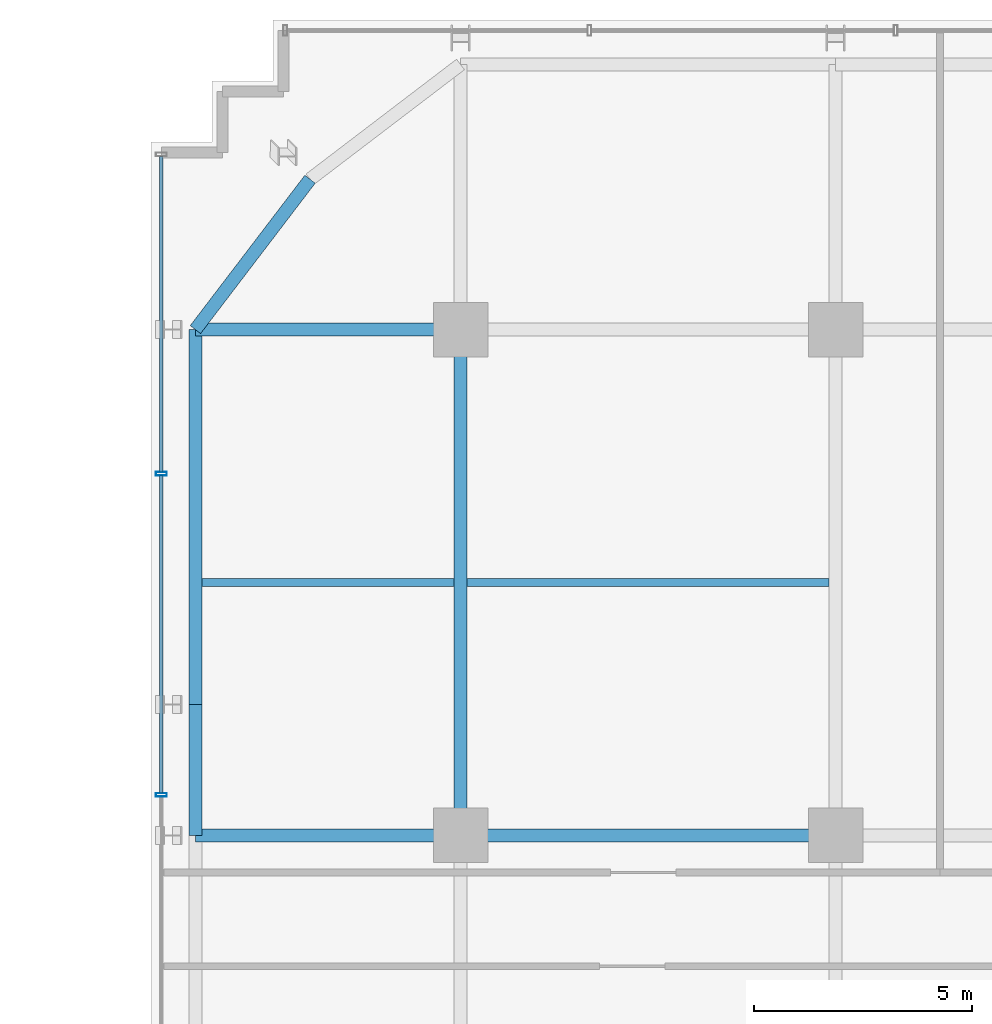
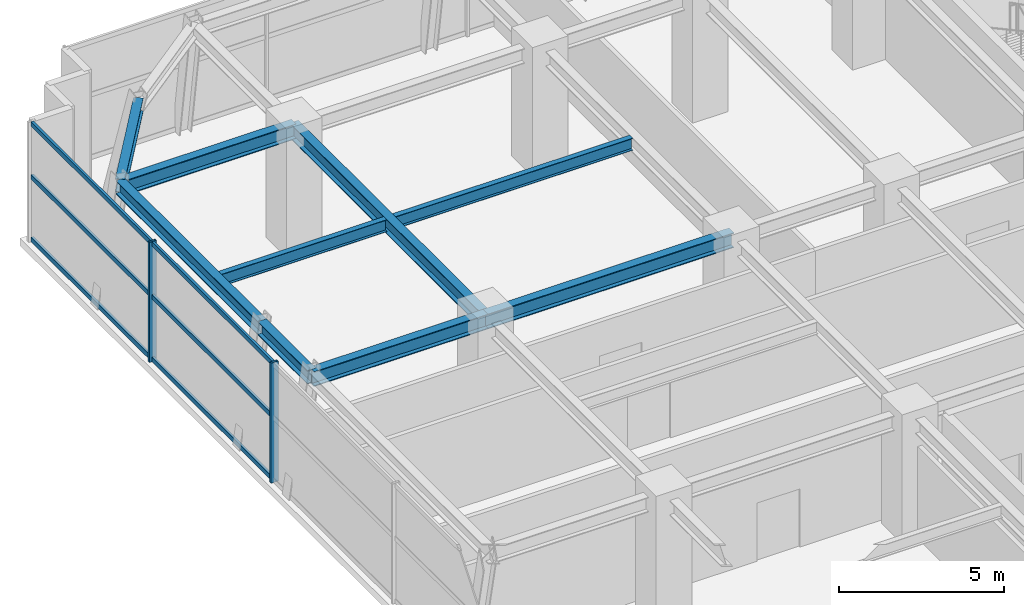
# One storey, part 12 of 26: 9 beams, 8 members, 1 element without a shape of its own.
"""IFC4 building model written with IfcOpenShell, lengths in metres."""

from ifc_helpers import new_model, si_unit, direction, frame, origin, origin_2d, place, context, subcontext, project, spatial, hollow_rectangle, i_section, extrude, source, transform, mapped, material, material_profile, profile_set, type_object, element, aggregate, save


model = new_model("IFC4")

# Units and contexts
model_context = context("Model", 3, precision=1e-05, world=origin(), true_north=direction((0.0, 1.0)))
body_context = subcontext(model_context, "Body", "Model", "MODEL_VIEW")
ifc_project = project(units=[si_unit("LENGTHUNIT", "METRE"), si_unit("AREAUNIT", "SQUARE_METRE"), si_unit("VOLUMEUNIT", "CUBIC_METRE"), si_unit("PLANEANGLEUNIT", "RADIAN"), si_unit("MASSUNIT", "GRAM", prefix="KILO")], contexts=[model_context])

# Site, building, storey
site_placement = place(None, origin())
site = spatial("IfcSite", under=ifc_project, at=site_placement, CompositionType="ELEMENT")
building_placement = place(site_placement, origin())
building = spatial("IfcBuilding", under=site, at=building_placement, Name="Nahalor Promenade Grand Hotel", CompositionType="ELEMENT")
storey_placement = place(building_placement, frame((0.0, 0.0, 139.39990234375)))
storey = spatial("IfcBuildingStorey", under=building, at=storey_placement, Name="L35", CompositionType="ELEMENT", Elevation=139.39990234375)

# Beams
ifc_material_1 = material(Name="Steel S355JR", Category="steel")
ifc_material_profile_1 = material_profile(ifc_material_1, i_section(OverallWidth=0.3, OverallDepth=0.5, WebThickness=0.0145, FlangeThickness=0.028, at=origin_2d()), Name="HEB 500")
ifc_profile_set_1 = profile_set([ifc_material_profile_1], Name="Steel S355JR")
beam_type_1 = type_object("IfcBeamType", Name="Beam-Spandrel-HEB500", PredefinedType="SPANDREL", material=ifc_profile_set_1)
shared_shape_1 = source(origin(), body_context, "Body", "SweptSolid", [
    extrude(i_section(OverallWidth=0.3, OverallDepth=0.5, WebThickness=0.0145, FlangeThickness=0.028, at=origin_2d()), origin(), (0.0, 0.0, 1.0), 8.60009765625),
])
beam_1_placement = place(storey_placement, frame((-23.080078125, 8.39990234375, 4.190185546875), z_axis=(0.0, 1.0, 0.0), x_axis=(-1.0, 0.0, 0.0)))
element("IfcBeam", 1, at=beam_1_placement, inside=storey, type_object=beam_type_1, Name="BM-L35-SP-W-4", PredefinedType="SPANDREL", context=body_context, shape_type="MappedRepresentation", body=[
    mapped(shared_shape_1, transform((0.0, 0.0, 0.0), scale=1.0)),
])
shared_shape_2 = source(origin(), body_context, "Body", "SweptSolid", [
    extrude(i_section(OverallWidth=0.3, OverallDepth=0.5, WebThickness=0.0145, FlangeThickness=0.028, at=origin_2d()), origin(), (0.0, 0.0, 1.0), 3.0),
])
beam_2_placement = place(storey_placement, frame((-23.080078125, 5.39990234375, 4.190185546875), z_axis=(0.0, 1.0, 0.0), x_axis=(-1.0, 0.0, 0.0)))
element("IfcBeam", 2, at=beam_2_placement, inside=storey, type_object=beam_type_1, Name="BM-L35-SP-W-3", PredefinedType="SPANDREL", context=body_context, shape_type="MappedRepresentation", body=[
    mapped(shared_shape_2, transform((0.0, 0.0, 0.0), scale=1.0)),
])
ifc_material_profile_2 = material_profile(ifc_material_1, i_section(OverallWidth=0.3, OverallDepth=0.55, WebThickness=0.015, FlangeThickness=0.029, at=origin_2d()), Name="HEB 550")
ifc_profile_set_2 = profile_set([ifc_material_profile_2], Name="Steel S355JR")
beam_type_2 = type_object("IfcBeamType", Name="Beam-Girder-HEB550", PredefinedType="BEAM", material=ifc_profile_set_2)
shared_shape_3 = source(origin(), body_context, "Body", "SweptSolid", [
    extrude(i_section(OverallWidth=0.3, OverallDepth=0.55, WebThickness=0.015, FlangeThickness=0.029, at=origin_2d()), origin(), (0.0, 0.0, 1.0), 8.60009765625),
])
beam_3_placement = place(storey_placement, frame((-17.0, 5.39990234375, 4.1650390625), z_axis=(1.0, 0.0, 0.0), x_axis=(0.0, 1.0, 0.0)))
element("IfcBeam", 3, at=beam_3_placement, inside=storey, type_object=beam_type_2, Name="BM-L35-GX-2-1", PredefinedType="BEAM", context=body_context, shape_type="MappedRepresentation", body=[
    mapped(shared_shape_3, transform((0.0, 0.0, 0.0), scale=1.0)),
])
shared_shape_4 = source(origin(), body_context, "Body", "SweptSolid", [
    extrude(i_section(OverallWidth=0.3, OverallDepth=0.55, WebThickness=0.015, FlangeThickness=0.029, at=origin_2d()), origin(), (0.0, 0.0, 1.0), 11.60009765625),
])
beam_4_placement = place(storey_placement, frame((-17.0, 5.39990234375, 4.1650390625), z_axis=(0.0, 1.0, 0.0), x_axis=(-1.0, 0.0, 0.0)))
element("IfcBeam", 4, at=beam_4_placement, inside=storey, type_object=beam_type_2, Name="BM-L35-GY-0-3", PredefinedType="BEAM", context=body_context, shape_type="MappedRepresentation", body=[
    mapped(shared_shape_4, transform((0.0, 0.0, 0.0), scale=1.0)),
])
ifc_material_profile_3 = material_profile(ifc_material_1, i_section(OverallWidth=0.19, OverallDepth=0.45, WebThickness=0.0094, FlangeThickness=0.0146, at=origin_2d()), Name="IPE 450")
ifc_profile_set_3 = profile_set([ifc_material_profile_3], Name="Steel S355JR")
beam_type_3 = type_object("IfcBeamType", Name="Beam-Joist-IPE450", PredefinedType="JOIST", material=ifc_profile_set_3)
shared_shape_5 = source(origin(), body_context, "Body", "SweptSolid", [
    extrude(i_section(OverallWidth=0.19, OverallDepth=0.45, WebThickness=0.0094, FlangeThickness=0.0146, at=origin_2d()), origin(), (0.0, 0.0, 1.0), 8.300048828125),
])
beam_5_placement = place(storey_placement, frame((-16.85009765625, 11.199951171875, 4.215087890625), z_axis=(1.0, 0.0, 0.0), x_axis=(0.0, 1.0, 0.0)))
element("IfcBeam", 5, at=beam_5_placement, inside=storey, type_object=beam_type_3, Name="BM-L35-JSW-1-1", PredefinedType="JOIST", context=body_context, shape_type="MappedRepresentation", body=[
    mapped(shared_shape_5, transform((0.0, 0.0, 0.0), scale=1.0)),
])
shared_shape_6 = source(origin(), body_context, "Body", "SweptSolid", [
    extrude(i_section(OverallWidth=0.3, OverallDepth=0.55, WebThickness=0.015, FlangeThickness=0.029, at=origin_2d()), origin(), (0.0, 0.0, 1.0), 6.080078125),
])
for number, where, z_axis, x_axis, name in (
    (6, (-23.080078125, 5.39990234375, 4.1650390625), (1.0, 0.0, 0.0), (0.0, 1.0, 0.0), "BM-L35-GX-2-0"),
    (7, (-23.080078125, 17.0, 4.1650390625), (1.0, 0.0, 0.0), (0.0, 1.0, 0.0), "BM-L35-GX-3-0"),
):
    element("IfcBeam", number, at=place(storey_placement, frame(where, z_axis=z_axis, x_axis=x_axis)), inside=storey, type_object=beam_type_2, Name=name, PredefinedType="BEAM", context=body_context, shape_type="MappedRepresentation", body=[
        mapped(shared_shape_6, transform((0.0, 0.0, 0.0), scale=1.0)),
    ])
shared_shape_7 = source(origin(), body_context, "Body", "SweptSolid", [
    extrude(i_section(OverallWidth=0.3, OverallDepth=0.5, WebThickness=0.0145, FlangeThickness=0.028, at=origin_2d()), origin(), (0.0, 0.0, 1.0), 4.338134765625),
])
beam_6_placement = place(storey_placement, frame((-20.449951171875, 20.449951171875, 4.190185546875), z_axis=(-0.606275484724, -0.795254699214, 0.0), x_axis=(0.795254699214, -0.606275484724, 0.0)))
element("IfcBeam", 8, at=beam_6_placement, inside=storey, type_object=beam_type_1, Name="BM-L35-SPC-NW-2", PredefinedType="SPANDREL", context=body_context, shape_type="MappedRepresentation", body=[
    mapped(shared_shape_7, transform((0.0, 0.0, 0.0), scale=1.0)),
])
shared_shape_8 = source(origin(), body_context, "Body", "SweptSolid", [
    extrude(i_section(OverallWidth=0.19, OverallDepth=0.45, WebThickness=0.0094, FlangeThickness=0.0146, at=origin_2d()), origin(), (0.0, 0.0, 1.0), 5.780029296875),
])
beam_7_placement = place(storey_placement, frame((-22.929931640625, 11.199951171875, 4.215087890625), z_axis=(1.0, 0.0, 0.0), x_axis=(0.0, 1.0, 0.0)))
element("IfcBeam", 9, at=beam_7_placement, inside=storey, type_object=beam_type_3, Name="BM-L35-JSW-1-0", PredefinedType="JOIST", context=body_context, shape_type="MappedRepresentation", body=[
    mapped(shared_shape_8, transform((0.0, 0.0, 0.0), scale=1.0)),
])

# Curtain wall, members
ifc_material_2 = material(Name="Anodised Bronze Aluminium EN AW-6063 T6", Category="aluminium")
curtain_wall_type = type_object("IfcCurtainWallType", Name="CW5 Sky-Lobby & Observation Panoramic Curtain Wall", PredefinedType="USERDEFINED", material=ifc_material_2)
curtain_wall_placement = place(storey_placement, origin())
curtain_wall = element("IfcCurtainWall", 10, at=curtain_wall_placement, inside=storey, type_object=curtain_wall_type, Name="L35 Curtain Wall CW-L35-W-3", ObjectType="UNITISED_CURTAIN_WALL", PredefinedType="USERDEFINED")
ifc_material_profile_4 = material_profile(ifc_material_2, hollow_rectangle(XDim=0.085, YDim=0.25, WallThickness=0.006, at=origin_2d()), Name="CWM 85x250x6")
ifc_profile_set_4 = profile_set([ifc_material_profile_4], Name="Anodised Bronze Aluminium EN AW-6063 T6")
member_type_1 = type_object("IfcMemberType", Name="CWM5 Panoramic Deep Mullion 85x250", PredefinedType="MULLION", material=ifc_profile_set_4)
shared_shape_9 = source(origin(), body_context, "Body", "SweptSolid", [
    extrude(hollow_rectangle(XDim=0.085, YDim=0.25, WallThickness=0.006, at=origin_2d()), origin(), (0.0, 0.0, 1.0), 4.440185546875),
])
member_1_placement = place(storey_placement, frame((-23.860107421875, 6.330078125, 0.0), z_axis=(0.0, 0.0, 1.0), x_axis=(0.0, 1.0, 0.0)))
member_1 = element("IfcMember", 11, at=member_1_placement, type_object=member_type_1, Name="CW-L35-W-3 Mullion 2", PredefinedType="MULLION", context=body_context, shape_type="MappedRepresentation", body=[
    mapped(shared_shape_9, transform((0.0, 0.0, 0.0), scale=1.0)),
])
member_2_placement = place(storey_placement, frame((-23.860107421875, 13.695068359375, 0.0), z_axis=(0.0, 0.0, 1.0), x_axis=(0.0, 1.0, 0.0)))
member_2 = element("IfcMember", 12, at=member_2_placement, type_object=member_type_1, Name="CW-L35-W-3 Mullion 3", PredefinedType="MULLION", context=body_context, shape_type="MappedRepresentation", body=[
    mapped(shared_shape_9, transform((0.0, 0.0, 0.0), scale=1.0)),
])
ifc_material_profile_5 = material_profile(ifc_material_2, hollow_rectangle(XDim=0.085, YDim=0.17, WallThickness=0.005, at=origin_2d()), Name="CWT 85x170x5")
ifc_profile_set_5 = profile_set([ifc_material_profile_5], Name="Anodised Bronze Aluminium EN AW-6063 T6")
member_type_2 = type_object("IfcMemberType", Name="CWT5 Panoramic Transom 85x170", PredefinedType="USERDEFINED", material=ifc_profile_set_5)
shared_shape_10 = source(origin(), body_context, "Body", "SweptSolid", [
    extrude(hollow_rectangle(XDim=0.085, YDim=0.17, WallThickness=0.005, at=origin_2d()), origin(), (0.0, 0.0, 1.0), 7.237548828125),
])
member_3_placement = place(storey_placement, frame((-23.860107421875, 13.737548828125, 0.085205078125), z_axis=(0.0, 1.0, 0.0), x_axis=(-1.0, 0.0, 0.0)))
member_3 = element("IfcMember", 13, at=member_3_placement, type_object=member_type_2, Name="CW-L35-W-3 Transom 3-0", ObjectType="TRANSOM", PredefinedType="USERDEFINED", context=body_context, shape_type="MappedRepresentation", body=[
    mapped(shared_shape_10, transform((0.0, 0.0, 0.0), scale=1.0)),
])
member_4_placement = place(storey_placement, frame((-23.860107421875, 13.737548828125, 2.400146484375), z_axis=(0.0, 1.0, 0.0), x_axis=(-1.0, 0.0, 0.0)))
member_4 = element("IfcMember", 14, at=member_4_placement, type_object=member_type_2, Name="CW-L35-W-3 Transom 3-1", ObjectType="TRANSOM", PredefinedType="USERDEFINED", context=body_context, shape_type="MappedRepresentation", body=[
    mapped(shared_shape_10, transform((0.0, 0.0, 0.0), scale=1.0)),
])
member_5_placement = place(storey_placement, frame((-23.860107421875, 13.737548828125, 4.35498046875), z_axis=(0.0, 1.0, 0.0), x_axis=(-1.0, 0.0, 0.0)))
member_5 = element("IfcMember", 15, at=member_5_placement, type_object=member_type_2, Name="CW-L35-W-3 Transom 3-2", ObjectType="TRANSOM", PredefinedType="USERDEFINED", context=body_context, shape_type="MappedRepresentation", body=[
    mapped(shared_shape_10, transform((0.0, 0.0, 0.0), scale=1.0)),
])
shared_shape_11 = source(origin(), body_context, "Body", "SweptSolid", [
    extrude(hollow_rectangle(XDim=0.085, YDim=0.17, WallThickness=0.005, at=origin_2d()), origin(), (0.0, 0.0, 1.0), 7.280029296875),
])
member_6_placement = place(storey_placement, frame((-23.860107421875, 6.37255859375, 0.085205078125), z_axis=(0.0, 1.0, 0.0), x_axis=(-1.0, 0.0, 0.0)))
member_6 = element("IfcMember", 16, at=member_6_placement, type_object=member_type_2, Name="CW-L35-W-3 Transom 2-0", ObjectType="TRANSOM", PredefinedType="USERDEFINED", context=body_context, shape_type="MappedRepresentation", body=[
    mapped(shared_shape_11, transform((0.0, 0.0, 0.0), scale=1.0)),
])
member_7_placement = place(storey_placement, frame((-23.860107421875, 6.37255859375, 2.400146484375), z_axis=(0.0, 1.0, 0.0), x_axis=(-1.0, 0.0, 0.0)))
member_7 = element("IfcMember", 17, at=member_7_placement, type_object=member_type_2, Name="CW-L35-W-3 Transom 2-1", ObjectType="TRANSOM", PredefinedType="USERDEFINED", context=body_context, shape_type="MappedRepresentation", body=[
    mapped(shared_shape_11, transform((0.0, 0.0, 0.0), scale=1.0)),
])
member_8_placement = place(storey_placement, frame((-23.860107421875, 6.37255859375, 4.35498046875), z_axis=(0.0, 1.0, 0.0), x_axis=(-1.0, 0.0, 0.0)))
member_8 = element("IfcMember", 18, at=member_8_placement, type_object=member_type_2, Name="CW-L35-W-3 Transom 2-2", ObjectType="TRANSOM", PredefinedType="USERDEFINED", context=body_context, shape_type="MappedRepresentation", body=[
    mapped(shared_shape_11, transform((0.0, 0.0, 0.0), scale=1.0)),
])
aggregate(curtain_wall, [member_1, member_2, member_6, member_7, member_8, member_3, member_4, member_5])

save(model, "model.ifc")
